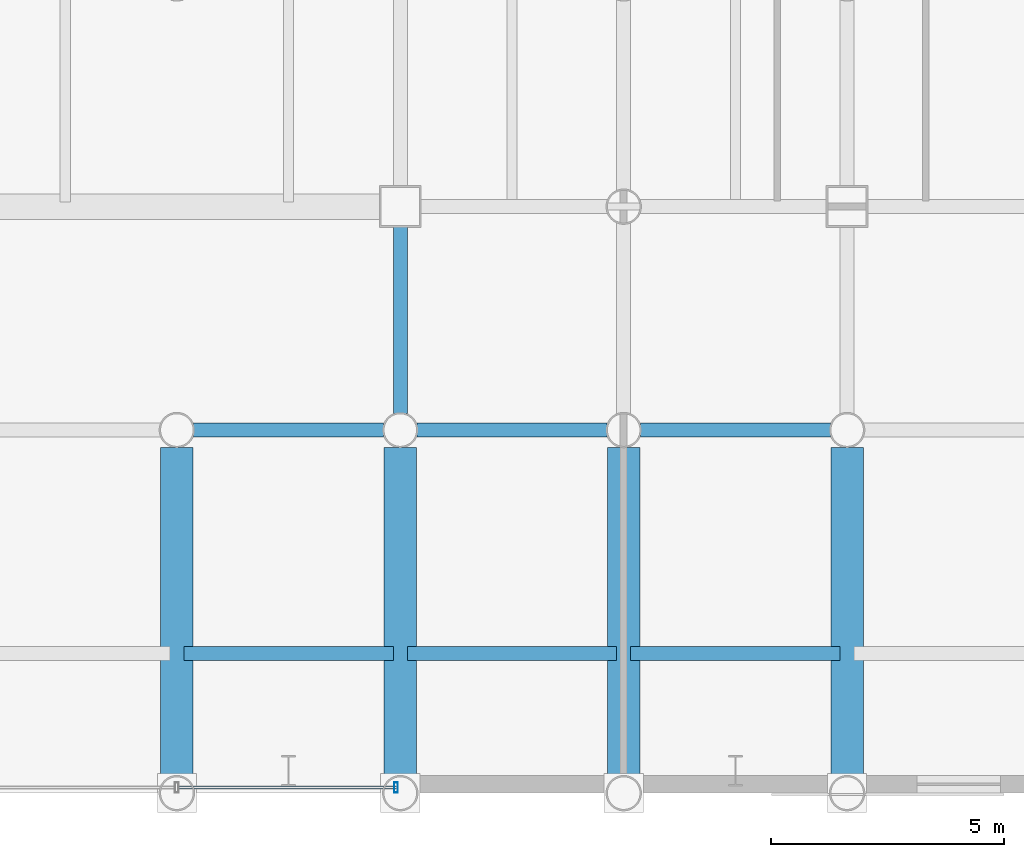
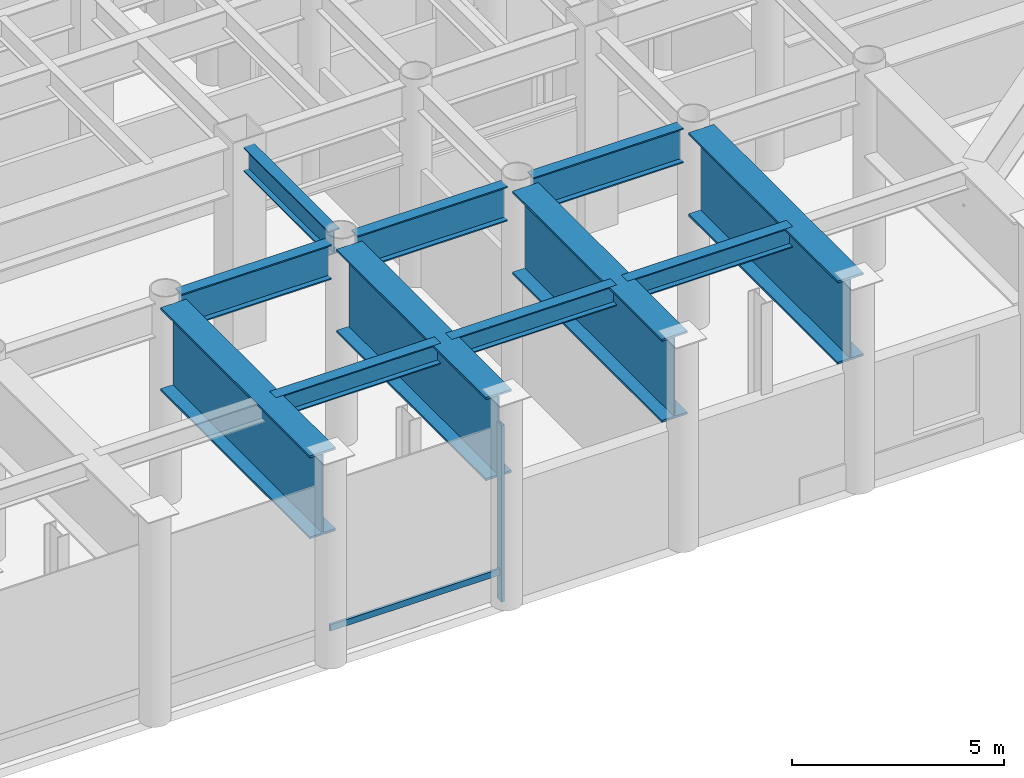
# One storey, part 8 of 26: 11 beams, 2 members, 1 element without a shape of its own.
"""IFC4 building model written with IfcOpenShell, lengths in metres."""

from ifc_helpers import new_model, si_unit, direction, frame, origin, origin_2d, place, context, subcontext, project, spatial, hollow_rectangle, i_section, extrude, material, layer, layer_set, material_profile, profile_set, type_object, element, aggregate, save


model = new_model("IFC4")

# Units and contexts
model_context = context("Model", 3, precision=1e-05, world=origin(), true_north=direction((0.0, 1.0)))
body_context = subcontext(model_context, "Body", "Model", "MODEL_VIEW")
ifc_project = project(units=[si_unit("LENGTHUNIT", "METRE"), si_unit("AREAUNIT", "SQUARE_METRE"), si_unit("VOLUMEUNIT", "CUBIC_METRE"), si_unit("PLANEANGLEUNIT", "RADIAN"), si_unit("MASSUNIT", "GRAM", prefix="KILO")], contexts=[model_context])

# Site, building, storey
site_placement = place(None, origin())
site = spatial("IfcSite", under=ifc_project, at=site_placement, CompositionType="ELEMENT")
building_placement = place(site_placement, origin())
building = spatial("IfcBuilding", under=site, at=building_placement, Name="Kallvorn Hotel Tower", CompositionType="ELEMENT")
storey_placement = place(building_placement, frame((0.0, 0.0, 6.0)))
storey = spatial("IfcBuildingStorey", under=building, at=storey_placement, Name="L01", CompositionType="ELEMENT", Elevation=6.0)

# Beams
ifc_material_1 = material(Name="Structural steel S355JR", Category="steel")
ifc_material_profile_1 = material_profile(ifc_material_1, i_section(OverallWidth=0.300048828125, OverallDepth=1.0, WebThickness=0.01904296875, FlangeThickness=0.035888671875, at=origin_2d()), Name="HE 1000 B")
ifc_profile_set_1 = profile_set([ifc_material_profile_1], Name="Structural steel S355JR")
beam_type_1 = type_object("IfcBeamType", Name="BM_HE1000B", PredefinedType="BEAM", material=ifc_profile_set_1)
for number, where, z_axis, x_axis, name in (
    (1, (9.9560546875, -19.199951171875, 5.280029296875), (1.0, 0.0, 0.0), (0.0, 1.0, 0.0), "L02 Primary X-Girder 54"),
    (2, (14.756103515625, -19.199951171875, 5.280029296875), (1.0, 0.0, 0.0), (0.0, 1.0, 0.0), "L02 Primary X-Girder 55"),
):
    element("IfcBeam", number, at=place(storey_placement, frame(where, z_axis=z_axis, x_axis=x_axis)), inside=storey, type_object=beam_type_1, Name=name, PredefinedType="BEAM", context=body_context, shape_type="SweptSolid", body=[
        extrude(i_section(OverallWidth=0.300048828125, OverallDepth=1.0, WebThickness=0.01904296875, FlangeThickness=0.035888671875, at=origin_2d()), origin(), (0.0, 0.0, 1.0), 4.087890625),
    ])
beam_1_placement = place(storey_placement, frame((19.555908203125, -19.199951171875, 5.280029296875), z_axis=(1.0, 0.0, 0.0), x_axis=(0.0, 1.0, 0.0)))
element("IfcBeam", 3, at=beam_1_placement, inside=storey, type_object=beam_type_1, Name="L02 Primary X-Girder 56", PredefinedType="BEAM", context=body_context, shape_type="SweptSolid", body=[
    extrude(i_section(OverallWidth=0.300048828125, OverallDepth=1.0, WebThickness=0.01904296875, FlangeThickness=0.035888671875, at=origin_2d()), origin(), (0.0, 0.0, 1.0), 4.088134765625),
])
ifc_material_2 = material(Name="Structural steel S355JR", Category="steel")
ifc_material_profile_2 = material_profile(ifc_material_2, i_section(OverallWidth=0.300048828125, OverallDepth=0.60009765625, WebThickness=0.015380859375, FlangeThickness=0.030029296875, at=origin_2d()), Name="HE 600 B")
ifc_profile_set_2 = profile_set([ifc_material_profile_2], Name="Structural steel S355JR")
beam_type_2 = type_object("IfcBeamType", Name="BM_HE600B", PredefinedType="SPANDREL", material=ifc_profile_set_2)
for number, where, z_axis, x_axis, name in (
    (4, (9.75, -24.0, 5.47998046875), (1.0, 0.0, 0.0), (0.0, 1.0, 0.0), "L02 Perimeter Spandrel 224"),
    (5, (14.550048828125, -24.0, 5.47998046875), (1.0, 0.0, 0.0), (0.0, 1.0, 0.0), "L02 Perimeter Spandrel 225"),
    (6, (19.35009765625, -24.0, 5.47998046875), (1.0, 0.0, 0.0), (0.0, 1.0, 0.0), "L02 Perimeter Spandrel 226"),
):
    element("IfcBeam", number, at=place(storey_placement, frame(where, z_axis=z_axis, x_axis=x_axis)), inside=storey, type_object=beam_type_2, Name=name, PredefinedType="SPANDREL", context=body_context, shape_type="SweptSolid", body=[
        extrude(i_section(OverallWidth=0.300048828125, OverallDepth=0.60009765625, WebThickness=0.015380859375, FlangeThickness=0.030029296875, at=origin_2d()), origin(), (0.0, 0.0, 1.0), 4.5),
    ])
ifc_material_3 = material(Name="Structural steel S355JR", Category="steel")
ifc_material_profile_3 = material_profile(ifc_material_3, i_section(OverallWidth=0.300048828125, OverallDepth=0.699951171875, WebThickness=0.01708984375, FlangeThickness=0.031982421875, at=origin_2d()), Name="HE 700 B")
ifc_profile_set_3 = profile_set([ifc_material_profile_3], Name="Structural steel S355JR")
beam_type_3 = type_object("IfcBeamType", Name="BM_HE700B", PredefinedType="BEAM", material=ifc_profile_set_3)
beam_2_placement = place(storey_placement, frame((14.39990234375, -18.843994140625, 5.429931640625), z_axis=(0.0, 1.0, 0.0), x_axis=(-1.0, 0.0, 0.0)))
element("IfcBeam", 7, at=beam_2_placement, inside=storey, type_object=beam_type_3, Name="L02 Primary Y-Girder 183", PredefinedType="BEAM", context=body_context, shape_type="SweptSolid", body=[
    extrude(i_section(OverallWidth=0.300048828125, OverallDepth=0.699951171875, WebThickness=0.01708984375, FlangeThickness=0.031982421875, at=origin_2d()), origin(), (0.0, 0.0, 1.0), 4.01904296875),
])
ifc_material_4 = material(Name="Structural steel S355JR", Category="steel")
ifc_material_profile_4 = material_profile(ifc_material_4, i_section(OverallWidth=0.699951171875, OverallDepth=2.39990234375, WebThickness=0.031982421875, FlangeThickness=0.06005859375, at=origin_2d()), Name="PG 2400x700x32x60")
ifc_profile_set_4 = profile_set([ifc_material_profile_4], Name="Structural steel S355JR")
beam_type_4 = type_object("IfcBeamType", Name="BM_PG_2400", PredefinedType="BEAM", material=ifc_profile_set_4)
for number, where, z_axis, x_axis, name in (
    (8, (9.60009765625, -26.62890625, 4.580078125), (0.0, 1.0, 0.0), (-1.0, 0.0, 0.0), "L02 Setback Transfer Girder 26"),
    (9, (14.39990234375, -26.62890625, 4.580078125), (0.0, 1.0, 0.0), (-1.0, 0.0, 0.0), "L02 Setback Transfer Girder 28"),
    (10, (19.199951171875, -26.62890625, 4.580078125), (0.0, 1.0, 0.0), (-1.0, 0.0, 0.0), "L02 Setback Transfer Girder 30"),
    (11, (24.0, -26.62890625, 4.580078125), (0.0, 1.0, 0.0), (-1.0, 0.0, 0.0), "L02 Setback Transfer Girder 32"),
):
    element("IfcBeam", number, at=place(storey_placement, frame(where, z_axis=z_axis, x_axis=x_axis)), inside=storey, type_object=beam_type_4, Name=name, PredefinedType="BEAM", context=body_context, shape_type="SweptSolid", body=[
        extrude(i_section(OverallWidth=0.699951171875, OverallDepth=2.39990234375, WebThickness=0.031982421875, FlangeThickness=0.06005859375, at=origin_2d()), origin(), (0.0, 0.0, 1.0), 7.057861328125),
    ])

# Curtain wall, members
ifc_material_5 = material(Name="Thermally broken black-anodised aluminium AA 6063-T6", Category="aluminium")
ifc_layer = layer(ifc_material_5, 0.239990234375)
ifc_layer_set = layer_set([ifc_layer], Name="CW_SYS_1_PODIUM_LOW")
curtain_wall_type = type_object("IfcCurtainWallType", Name="CW_SYS_1_PODIUM_LOW", PredefinedType="USERDEFINED", material=ifc_layer_set)
curtain_wall_placement = place(storey_placement, origin())
curtain_wall = element("IfcCurtainWall", 12, at=curtain_wall_placement, inside=storey, type_object=curtain_wall_type, Name="L01 Dark-Glass Curtain Wall CW-L01-S3", ObjectType="UNITISED CURTAIN WALL", PredefinedType="USERDEFINED")
ifc_material_6 = material(Name="Thermally broken black-anodised aluminium AA 6063-T6", Category="aluminium")
ifc_material_profile_5 = material_profile(ifc_material_6, hollow_rectangle(XDim=0.080078125, YDim=0.219970703125, WallThickness=0.0048828125, at=origin_2d()), Name="MUL 220x80")
ifc_profile_set_5 = profile_set([ifc_material_profile_5], Name="Thermally broken black-anodised aluminium AA 6063-T6")
member_type_1 = type_object("IfcMemberType", Name="CW_MULLION_220x80", PredefinedType="MULLION", material=ifc_profile_set_5)
member_1_placement = place(storey_placement, frame((14.31005859375, -26.8798828125, 0.02001953125), z_axis=(0.0, 0.0, 1.0), x_axis=(1.0, 0.0, 0.0)))
member_1 = element("IfcMember", 13, at=member_1_placement, type_object=member_type_1, Name="CW-L01-S3 Mullion 02", PredefinedType="MULLION", context=body_context, shape_type="SweptSolid", body=[
    extrude(hollow_rectangle(XDim=0.080078125, YDim=0.219970703125, WallThickness=0.0048828125, at=origin_2d()), origin(), (0.0, 0.0, 1.0), 5.090087890625),
])
ifc_material_7 = material(Name="Thermally broken black-anodised aluminium AA 6063-T6", Category="aluminium")
ifc_material_profile_6 = material_profile(ifc_material_7, hollow_rectangle(XDim=0.070068359375, YDim=0.179931640625, WallThickness=0.00390625, at=origin_2d()), Name="TRN 180x70")
ifc_profile_set_6 = profile_set([ifc_material_profile_6], Name="Thermally broken black-anodised aluminium AA 6063-T6")
member_type_2 = type_object("IfcMemberType", Name="CW_TRANSOM_180x70", PredefinedType="USERDEFINED", material=ifc_profile_set_6)
member_2_placement = place(storey_placement, frame((9.639892578125, -26.8798828125, 0.85009765625), z_axis=(1.0, 0.0, 0.0), x_axis=(0.0, 1.0, 0.0)))
member_2 = element("IfcMember", 14, at=member_2_placement, type_object=member_type_2, Name="CW-L01-S3 Transom 01M", ObjectType="TRANSOM", PredefinedType="USERDEFINED", context=body_context, shape_type="SweptSolid", body=[
    extrude(hollow_rectangle(XDim=0.070068359375, YDim=0.179931640625, WallThickness=0.00390625, at=origin_2d()), origin(), (0.0, 0.0, 1.0), 4.670166015625),
])
aggregate(curtain_wall, [member_1, member_2])

save(model, "model.ifc")
